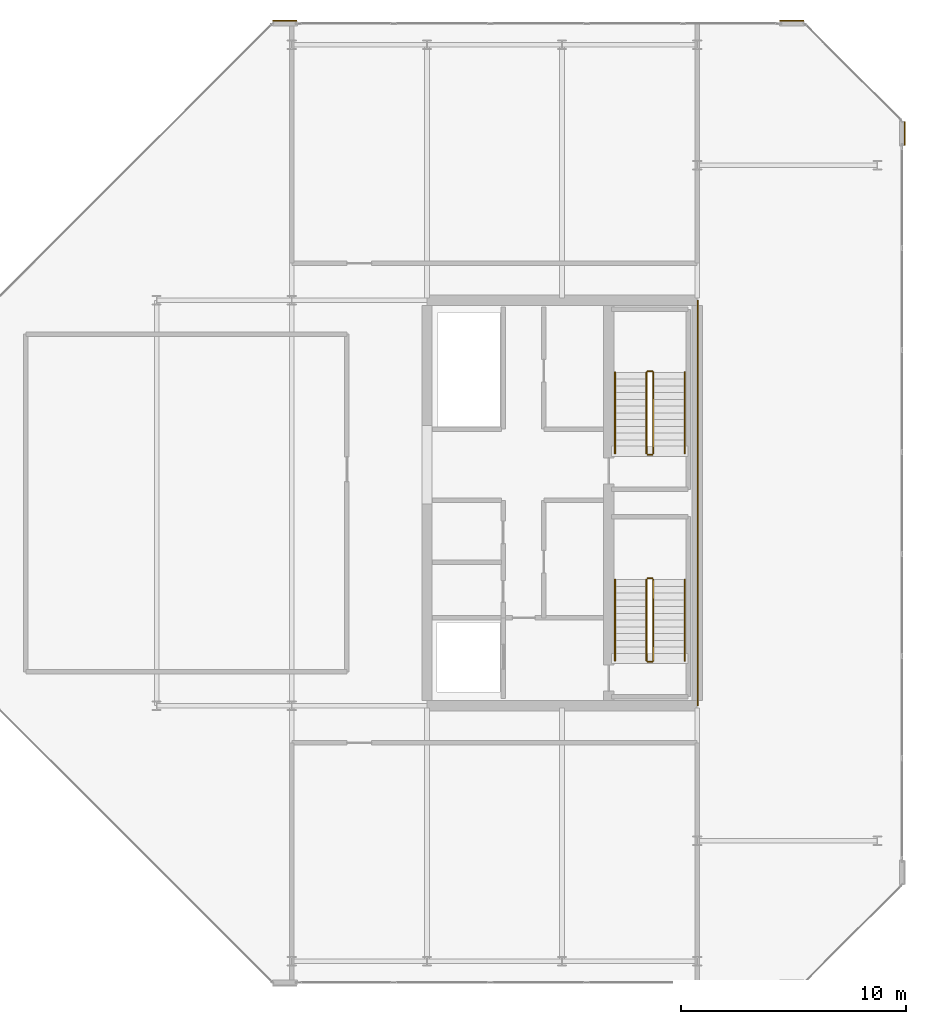
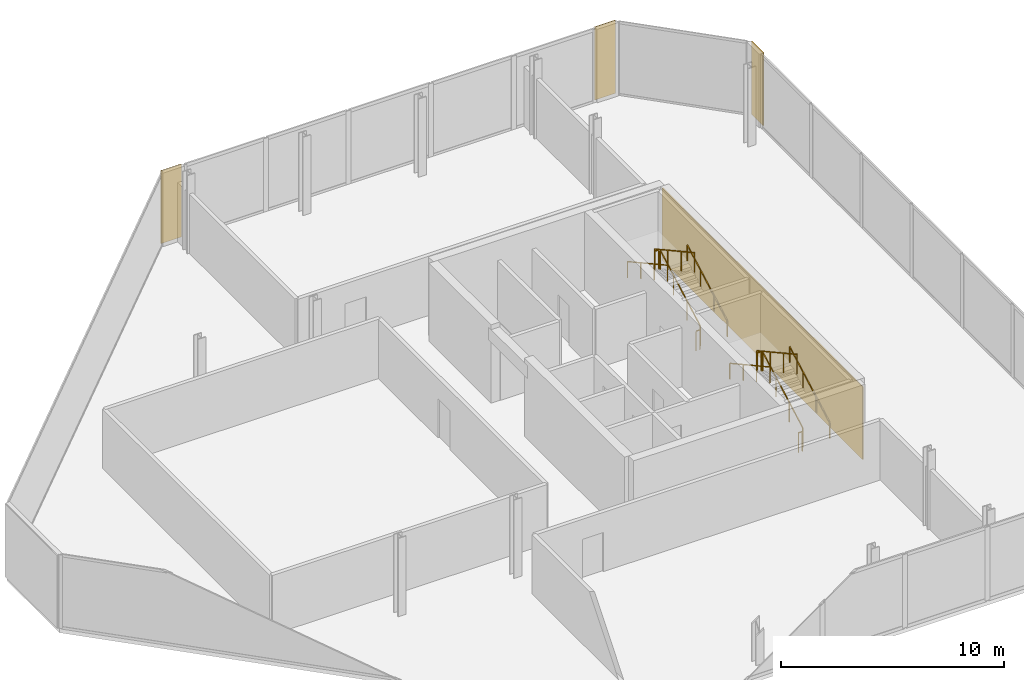
# One storey, part 16 of 16: 12 railings, 4 coverings.
"""IFC4 building model written with IfcOpenShell, lengths in metres."""

from ifc_helpers import new_model, si_unit, direction, frame, origin, origin_2d, place, context, subcontext, project, spatial, rectangle, extrude, material, layer, layer_set, type_object, element, save


model = new_model("IFC4")

# Units and contexts
model_context = context("Model", 3, precision=1e-05, world=origin(), true_north=direction((0.0, 1.0)))
body_context = subcontext(model_context, "Body", "Model", "MODEL_VIEW")
ifc_project = project(units=[si_unit("LENGTHUNIT", "METRE"), si_unit("AREAUNIT", "SQUARE_METRE"), si_unit("VOLUMEUNIT", "CUBIC_METRE"), si_unit("PLANEANGLEUNIT", "RADIAN"), si_unit("MASSUNIT", "GRAM", prefix="KILO")], contexts=[model_context])

# Site, building, storey
site_placement = place(None, origin())
site = spatial("IfcSite", under=ifc_project, at=site_placement, CompositionType="ELEMENT")
building_placement = place(site_placement, origin())
building = spatial("IfcBuilding", under=site, at=building_placement, Name="Tanjung Sevakor Pilgrim Tower", CompositionType="ELEMENT")
storey_placement = place(building_placement, frame((0.0, 0.0, 278.85009765625)))
storey = spatial("IfcBuildingStorey", under=building, at=storey_placement, Name="L78", CompositionType="ELEMENT", Elevation=278.85009765625)

# Coverings
ifc_material_1 = material(Name="Reconstructed Limestone Cladding", Category="masonry")
ifc_layer = layer(ifc_material_1, 0.044921875)
ifc_layer_set = layer_set([ifc_layer], Name="COV-CLAD-LIMESTONE")
covering_type = type_object("IfcCoveringType", Name="COV-CLAD-LIMESTONE", PredefinedType="CLADDING", material=ifc_layer_set)
for number, where, z_axis, x_axis, name in (
    (1, (99.222412109375, 50.00439453125, 0.02001953125), (0.0, 0.0, 1.0), (0.0, 1.0, 0.0), "L78 Warm Limestone Wall Cladding EW-CRN2-L78-EAST-2-1"),
    (2, (94.204345703125, 55.0224609375, 0.02001953125), (0.0, 0.0, 1.0), (-1.0, 0.0, 0.0), "L78 Warm Limestone Wall Cladding EW-CRN1-L78-EAST-4-1"),
    (3, (71.695556640625, 55.0224609375, 0.02001953125), (0.0, 0.0, 1.0), (-1.0, 0.0, 0.0), "L78 Warm Limestone Wall Cladding EW-CRN2-L78-EAST-4-1"),
):
    element("IfcCovering", number, at=place(storey_placement, frame(where, z_axis=z_axis, x_axis=x_axis)), inside=storey, type_object=covering_type, Name=name, PredefinedType="CLADDING", context=body_context, shape_type="SweptSolid", body=[
        extrude(rectangle(XDim=1.06005859375, YDim=0.044921875, at=origin_2d()), origin(), (0.0, 0.0, 1.0), 3.989990234375),
    ])
covering_placement = place(storey_placement, frame((90.0224609375, 33.60009765625, 0.02001953125), z_axis=(0.0, 0.0, 1.0), x_axis=(1.0, 0.0, 0.0)))
element("IfcCovering", 4, at=covering_placement, inside=storey, type_object=covering_type, Name="L78 Expressed Core Warm Limestone Cladding E", PredefinedType="CLADDING", context=body_context, shape_type="SweptSolid", body=[
    extrude(rectangle(XDim=0.044921875, YDim=18.0, at=origin_2d()), origin(), (0.0, 0.0, 1.0), 3.989990234375),
])

# Railings
ifc_material_2 = material(Name="Steel S355J2", Category="steel")
railing_type_1 = type_object("IfcRailingType", Name="RL-STAIR-GUARD", PredefinedType="GUARDRAIL", material=ifc_material_2)
railing_1_placement = place(storey_placement, frame((88.050048828125, 26.60009765625, 0.164794921875)))
element("IfcRailing", 5, at=railing_1_placement, inside=storey, type_object=railing_type_1, Name="L78 TS-E1 stair guard 1", PredefinedType="GUARDRAIL", context=body_context, shape_type="SweptSolid", body=[
    extrude(rectangle(XDim=0.0479, YDim=0.0479), frame((0.0, 0.0, 1.076171875), z_axis=(0.0, 0.876184541786, 0.481975776088), x_axis=(-1.0, 0.0, 0.0)), (0.0, 0.0, 1.0), 4.108642578125),
    extrude(rectangle(XDim=0.042, YDim=0.042), origin(), (0.0, 0.0, 1.0), 1.052001953125),
    extrude(rectangle(XDim=0.042, YDim=0.042), frame((0.0, 1.199951171875, 0.66015625)), (0.0, 0.0, 1.0), 1.052001953125),
    extrude(rectangle(XDim=0.042, YDim=0.042), frame((0.0, 2.39990234375, 1.320068359375)), (0.0, 0.0, 1.0), 1.052001953125),
    extrude(rectangle(XDim=0.042, YDim=0.042), frame((0.0, 3.599853515625, 1.980224609375)), (0.0, 0.0, 1.0), 1.052001953125),
])
railing_2_placement = place(storey_placement, frame((88.0, 30.25, 2.14501953125)))
element("IfcRailing", 6, at=railing_2_placement, inside=storey, type_object=railing_type_1, Name="L78 TS-E1 stair guard 2", PredefinedType="GUARDRAIL", context=body_context, shape_type="SweptSolid", body=[
    extrude(rectangle(XDim=0.0479, YDim=0.0479), frame((0.0, 0.0, 1.076171875), z_axis=(-1.0, 0.0, 0.0), x_axis=(0.0, -1.0, 0.0)), (0.0, 0.0, 1.0), 0.199951171875),
    extrude(rectangle(XDim=0.042, YDim=0.042), origin(), (0.0, 0.0, 1.0), 1.052001953125),
    extrude(rectangle(XDim=0.042, YDim=0.042), frame((-0.199951171875, 0.0, 0.0)), (0.0, 0.0, 1.0), 1.052001953125),
])
railing_3_placement = place(storey_placement, frame((87.75, 30.199951171875, 2.309814453125)))
element("IfcRailing", 7, at=railing_3_placement, inside=storey, type_object=railing_type_1, Name="L78 TS-E1 stair guard 3", PredefinedType="GUARDRAIL", context=body_context, shape_type="SweptSolid", body=[
    extrude(rectangle(XDim=0.0479, YDim=0.0479), frame((0.0, 0.0, 1.076171875), z_axis=(0.0, -0.876209635416, 0.481930155525), x_axis=(1.0, 0.0, 0.0)), (0.0, 0.0, 1.0), 4.1083984375),
    extrude(rectangle(XDim=0.042, YDim=0.042), origin(), (0.0, 0.0, 1.0), 1.052001953125),
    extrude(rectangle(XDim=0.042, YDim=0.042), frame((0.0, -1.199951171875, 0.659912109375)), (0.0, 0.0, 1.0), 1.052001953125),
    extrude(rectangle(XDim=0.042, YDim=0.042), frame((0.0, -2.39990234375, 1.320068359375)), (0.0, 0.0, 1.0), 1.052001953125),
    extrude(rectangle(XDim=0.042, YDim=0.042), frame((0.0, -3.599853515625, 1.97998046875)), (0.0, 0.0, 1.0), 1.052001953125),
])
railing_4_placement = place(storey_placement, frame((88.0, 26.550048828125, 0.0)))
element("IfcRailing", 8, at=railing_4_placement, inside=storey, type_object=railing_type_1, Name="L78 TS-E1 stair guard 4", PredefinedType="GUARDRAIL", context=body_context, shape_type="SweptSolid", body=[
    extrude(rectangle(XDim=0.0479, YDim=0.0479), frame((0.0, 0.0, 1.076171875), z_axis=(-1.0, 0.0, 0.0), x_axis=(0.0, -1.0, 0.0)), (0.0, 0.0, 1.0), 0.199951171875),
    extrude(rectangle(XDim=0.042, YDim=0.042), origin(), (0.0, 0.0, 1.0), 1.052001953125),
    extrude(rectangle(XDim=0.042, YDim=0.042), frame((-0.199951171875, 0.0, 0.0)), (0.0, 0.0, 1.0), 1.052001953125),
])
railing_5_placement = place(storey_placement, frame((88.050048828125, 35.800048828125, 0.164794921875)))
element("IfcRailing", 9, at=railing_5_placement, inside=storey, type_object=railing_type_1, Name="L78 TS-E2 stair guard 1", PredefinedType="GUARDRAIL", context=body_context, shape_type="SweptSolid", body=[
    extrude(rectangle(XDim=0.0479, YDim=0.0479), frame((0.0, 0.0, 1.076171875), z_axis=(0.0, 0.876184541786, 0.481975776088), x_axis=(-1.0, 0.0, 0.0)), (0.0, 0.0, 1.0), 4.108642578125),
    extrude(rectangle(XDim=0.042, YDim=0.042), origin(), (0.0, 0.0, 1.0), 1.052001953125),
    extrude(rectangle(XDim=0.042, YDim=0.042), frame((0.0, 1.199951171875, 0.66015625)), (0.0, 0.0, 1.0), 1.052001953125),
    extrude(rectangle(XDim=0.042, YDim=0.042), frame((0.0, 2.39990234375, 1.320068359375)), (0.0, 0.0, 1.0), 1.052001953125),
    extrude(rectangle(XDim=0.042, YDim=0.042), frame((0.0, 3.599853515625, 1.980224609375)), (0.0, 0.0, 1.0), 1.052001953125),
])
railing_6_placement = place(storey_placement, frame((88.0, 39.449951171875, 2.14501953125)))
element("IfcRailing", 10, at=railing_6_placement, inside=storey, type_object=railing_type_1, Name="L78 TS-E2 stair guard 2", PredefinedType="GUARDRAIL", context=body_context, shape_type="SweptSolid", body=[
    extrude(rectangle(XDim=0.0479, YDim=0.0479), frame((0.0, 0.0, 1.076171875), z_axis=(-1.0, 0.0, 0.0), x_axis=(0.0, -1.0, 0.0)), (0.0, 0.0, 1.0), 0.199951171875),
    extrude(rectangle(XDim=0.042, YDim=0.042), origin(), (0.0, 0.0, 1.0), 1.052001953125),
    extrude(rectangle(XDim=0.042, YDim=0.042), frame((-0.199951171875, 0.0, 0.0)), (0.0, 0.0, 1.0), 1.052001953125),
])
railing_7_placement = place(storey_placement, frame((87.75, 39.39990234375, 2.309814453125)))
element("IfcRailing", 11, at=railing_7_placement, inside=storey, type_object=railing_type_1, Name="L78 TS-E2 stair guard 3", PredefinedType="GUARDRAIL", context=body_context, shape_type="SweptSolid", body=[
    extrude(rectangle(XDim=0.0479, YDim=0.0479), frame((0.0, 0.0, 1.076171875), z_axis=(0.0, -0.876209635416, 0.481930155525), x_axis=(1.0, 0.0, 0.0)), (0.0, 0.0, 1.0), 4.1083984375),
    extrude(rectangle(XDim=0.042, YDim=0.042), origin(), (0.0, 0.0, 1.0), 1.052001953125),
    extrude(rectangle(XDim=0.042, YDim=0.042), frame((0.0, -1.199951171875, 0.659912109375)), (0.0, 0.0, 1.0), 1.052001953125),
    extrude(rectangle(XDim=0.042, YDim=0.042), frame((0.0, -2.39990234375, 1.320068359375)), (0.0, 0.0, 1.0), 1.052001953125),
    extrude(rectangle(XDim=0.042, YDim=0.042), frame((0.0, -3.599853515625, 1.97998046875)), (0.0, 0.0, 1.0), 1.052001953125),
])
railing_8_placement = place(storey_placement, frame((88.0, 35.75, 0.0)))
element("IfcRailing", 12, at=railing_8_placement, inside=storey, type_object=railing_type_1, Name="L78 TS-E2 stair guard 4", PredefinedType="GUARDRAIL", context=body_context, shape_type="SweptSolid", body=[
    extrude(rectangle(XDim=0.0479, YDim=0.0479), frame((0.0, 0.0, 1.076171875), z_axis=(-1.0, 0.0, 0.0), x_axis=(0.0, -1.0, 0.0)), (0.0, 0.0, 1.0), 0.199951171875),
    extrude(rectangle(XDim=0.042, YDim=0.042), origin(), (0.0, 0.0, 1.0), 1.052001953125),
    extrude(rectangle(XDim=0.042, YDim=0.042), frame((-0.199951171875, 0.0, 0.0)), (0.0, 0.0, 1.0), 1.052001953125),
])
ifc_material_3 = material(Name="Steel S355J2", Category="steel")
railing_type_2 = type_object("IfcRailingType", Name="RL-STAIR-HAND", PredefinedType="HANDRAIL", material=ifc_material_3)
railing_9_placement = place(storey_placement, frame((89.449951171875, 26.60009765625, 0.164794921875)))
element("IfcRailing", 13, at=railing_9_placement, inside=storey, type_object=railing_type_2, Name="L78 TS-E1 stair handrail 1", PredefinedType="HANDRAIL", context=body_context, shape_type="SweptSolid", body=[
    extrude(rectangle(XDim=0.0479, YDim=0.0479), frame((0.0, 0.0, 0.8759765625), z_axis=(0.0, 0.876184541786, 0.481975776088), x_axis=(-1.0, 0.0, 0.0)), (0.0, 0.0, 1.0), 4.108642578125),
    extrude(rectangle(XDim=0.042, YDim=0.042), origin(), (0.0, 0.0, 1.0), 0.851806640625),
    extrude(rectangle(XDim=0.042, YDim=0.042), frame((0.0, 1.199951171875, 0.66015625)), (0.0, 0.0, 1.0), 0.851806640625),
    extrude(rectangle(XDim=0.042, YDim=0.042), frame((0.0, 2.39990234375, 1.320068359375)), (0.0, 0.0, 1.0), 0.851806640625),
    extrude(rectangle(XDim=0.042, YDim=0.042), frame((0.0, 3.599853515625, 1.980224609375)), (0.0, 0.0, 1.0), 0.851806640625),
])
railing_10_placement = place(storey_placement, frame((86.35009765625, 30.199951171875, 2.309814453125)))
element("IfcRailing", 14, at=railing_10_placement, inside=storey, type_object=railing_type_2, Name="L78 TS-E1 stair handrail 2", PredefinedType="HANDRAIL", context=body_context, shape_type="SweptSolid", body=[
    extrude(rectangle(XDim=0.0479, YDim=0.0479), frame((0.0, 0.0, 0.8759765625), z_axis=(0.0, -0.876209635416, 0.481930155525), x_axis=(1.0, 0.0, 0.0)), (0.0, 0.0, 1.0), 4.1083984375),
    extrude(rectangle(XDim=0.042, YDim=0.042), origin(), (0.0, 0.0, 1.0), 0.851806640625),
    extrude(rectangle(XDim=0.042, YDim=0.042), frame((0.0, -1.199951171875, 0.659912109375)), (0.0, 0.0, 1.0), 0.851806640625),
    extrude(rectangle(XDim=0.042, YDim=0.042), frame((0.0, -2.39990234375, 1.320068359375)), (0.0, 0.0, 1.0), 0.851806640625),
    extrude(rectangle(XDim=0.042, YDim=0.042), frame((0.0, -3.599853515625, 1.97998046875)), (0.0, 0.0, 1.0), 0.851806640625),
])
railing_11_placement = place(storey_placement, frame((89.449951171875, 35.800048828125, 0.164794921875)))
element("IfcRailing", 15, at=railing_11_placement, inside=storey, type_object=railing_type_2, Name="L78 TS-E2 stair handrail 1", PredefinedType="HANDRAIL", context=body_context, shape_type="SweptSolid", body=[
    extrude(rectangle(XDim=0.0479, YDim=0.0479), frame((0.0, 0.0, 0.8759765625), z_axis=(0.0, 0.876184541786, 0.481975776088), x_axis=(-1.0, 0.0, 0.0)), (0.0, 0.0, 1.0), 4.108642578125),
    extrude(rectangle(XDim=0.042, YDim=0.042), origin(), (0.0, 0.0, 1.0), 0.851806640625),
    extrude(rectangle(XDim=0.042, YDim=0.042), frame((0.0, 1.199951171875, 0.66015625)), (0.0, 0.0, 1.0), 0.851806640625),
    extrude(rectangle(XDim=0.042, YDim=0.042), frame((0.0, 2.39990234375, 1.320068359375)), (0.0, 0.0, 1.0), 0.851806640625),
    extrude(rectangle(XDim=0.042, YDim=0.042), frame((0.0, 3.599853515625, 1.980224609375)), (0.0, 0.0, 1.0), 0.851806640625),
])
railing_12_placement = place(storey_placement, frame((86.35009765625, 39.39990234375, 2.309814453125)))
element("IfcRailing", 16, at=railing_12_placement, inside=storey, type_object=railing_type_2, Name="L78 TS-E2 stair handrail 2", PredefinedType="HANDRAIL", context=body_context, shape_type="SweptSolid", body=[
    extrude(rectangle(XDim=0.0479, YDim=0.0479), frame((0.0, 0.0, 0.8759765625), z_axis=(0.0, -0.876209635416, 0.481930155525), x_axis=(1.0, 0.0, 0.0)), (0.0, 0.0, 1.0), 4.1083984375),
    extrude(rectangle(XDim=0.042, YDim=0.042), origin(), (0.0, 0.0, 1.0), 0.851806640625),
    extrude(rectangle(XDim=0.042, YDim=0.042), frame((0.0, -1.199951171875, 0.659912109375)), (0.0, 0.0, 1.0), 0.851806640625),
    extrude(rectangle(XDim=0.042, YDim=0.042), frame((0.0, -2.39990234375, 1.320068359375)), (0.0, 0.0, 1.0), 0.851806640625),
    extrude(rectangle(XDim=0.042, YDim=0.042), frame((0.0, -3.599853515625, 1.97998046875)), (0.0, 0.0, 1.0), 0.851806640625),
])

save(model, "model.ifc")
